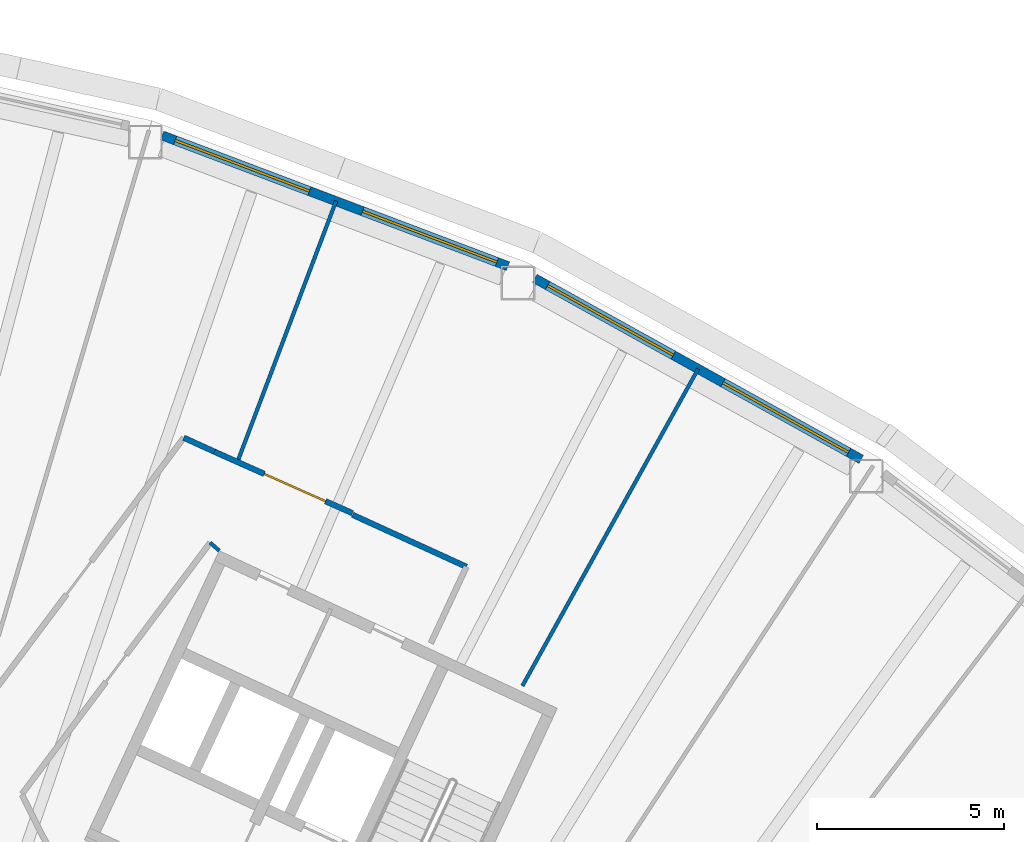
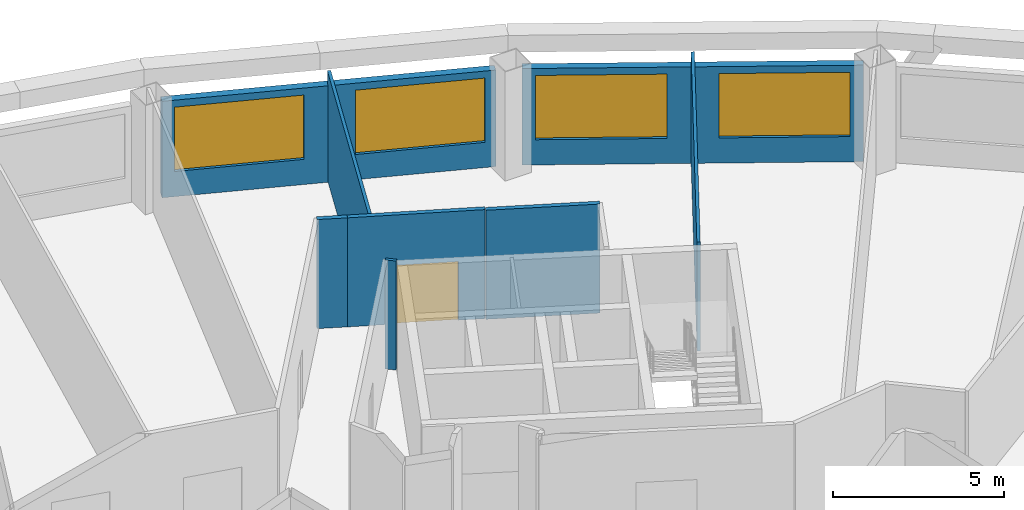
# One storey, part 11 of 14: 8 walls, 4 windows, 1 door, 5 openings.
"""IFC4 building model written with IfcOpenShell, lengths in metres."""

import ifcopenshell
import ifcopenshell.guid

model = None  # the IFC model being written
_history = None  # IfcOwnerHistory: only IFC2X3 demands one
_inside = {}  # id of a spatial element -> (the spatial element, [elements in it])
_under = {}  # id of a project, library or spatial element -> (it, [spatial elements below it])
_declared = {}  # id of a project -> (the project, [libraries it declares])
_typed = {}  # id of a type object -> (the type object, [elements of that type])
_made_of = {}  # id of a material, layer set ... -> (it, [elements and type objects made of it])


def new_model(schema):
    """Start an empty IFC model of exactly this schema.

    Asked for "IFC4X3", IfcOpenShell would pick the latest addendum, in which some entities
    have other attributes; the version numbers below select the first issue.
    IFC2X3 requires an IfcOwnerHistory on every rooted entity: one is made here for all.
    """
    global model, _history
    if schema == "IFC4X3":
        model = ifcopenshell.file(schema_version=(4, 3, 0, 0))
    else:
        model = ifcopenshell.file(schema=schema)
    _inside.clear()
    _under.clear()
    _declared.clear()
    _typed.clear()
    _made_of.clear()
    _history = None
    if model.schema == "IFC2X3":
        org = make("IfcOrganization", Name="unknown")
        user = make(
            "IfcPersonAndOrganization",
            ThePerson=make("IfcPerson", FamilyName="unknown"),
            TheOrganization=org,
        )
        app = make(
            "IfcApplication",
            ApplicationDeveloper=org,
            Version="unknown",
            ApplicationFullName="unknown",
            ApplicationIdentifier="unknown",
        )
        _history = make(
            "IfcOwnerHistory",
            OwningUser=user,
            OwningApplication=app,
            ChangeAction="ADDED",
            CreationDate=0,
        )
    return model


def make(cls, **values):
    """One entity of the class cls with the attributes given. An attribute that is None is left unset."""
    return model.create_entity(
        cls, **{name: value for name, value in values.items() if value is not None}
    )


def rooted(cls, **values):
    """An entity with a GlobalId (a new one), such as an element, a storey or a relation."""
    return make(cls, GlobalId=ifcopenshell.guid.new(), OwnerHistory=_history, **values)


def si_unit(unit_type, name, prefix=None):
    """IfcSIUnit, for example si_unit("LENGTHUNIT", "METRE", prefix="MILLI")."""
    return make("IfcSIUnit", UnitType=unit_type, Prefix=prefix, Name=name)


def assignment(units):
    """IfcUnitAssignment: the units of a project."""
    return None if units is None else make("IfcUnitAssignment", Units=units)


def point(xyz):
    """IfcCartesianPoint."""
    return None if xyz is None else make("IfcCartesianPoint", Coordinates=xyz)


def direction(xyz):
    """IfcDirection."""
    return None if xyz is None else make("IfcDirection", DirectionRatios=xyz)


def frame(location, z_axis=None, x_axis=None):
    """IfcAxis2Placement3D, a coordinate frame: its origin and axes. An axis left out is left unset."""
    return make(
        "IfcAxis2Placement3D",
        Location=point(location),
        Axis=direction(z_axis),
        RefDirection=direction(x_axis),
    )


def frame_2d(location, x_axis=None):
    """IfcAxis2Placement2D, a coordinate frame in the plane: its origin and x axis."""
    return make(
        "IfcAxis2Placement2D", Location=point(location), RefDirection=direction(x_axis)
    )


def origin():
    """The frame at (0, 0, 0) with its axes left unset."""
    return frame((0.0, 0.0, 0.0))


def place(relative_to, where):
    """IfcLocalPlacement: puts the frame where relative to a parent placement (None: the world)."""
    return make(
        "IfcLocalPlacement", PlacementRelTo=relative_to, RelativePlacement=where
    )


def context(
    kind, dimensions, precision=None, world=None, true_north=None, identifier=None
):
    """IfcGeometricRepresentationContext, for example the 3D "Model" context."""
    return make(
        "IfcGeometricRepresentationContext",
        ContextIdentifier=identifier,
        ContextType=kind,
        CoordinateSpaceDimension=dimensions,
        Precision=precision,
        WorldCoordinateSystem=world,
        TrueNorth=true_north,
    )


def subcontext(parent, identifier, kind, view, scale=None):
    """IfcGeometricRepresentationSubContext, for example "Body" below "Model"."""
    return make(
        "IfcGeometricRepresentationSubContext",
        ContextIdentifier=identifier,
        ContextType=kind,
        ParentContext=parent,
        TargetScale=scale,
        TargetView=view,
    )


def project(units=None, contexts=None):
    """IfcProject with its units and contexts."""
    return rooted(
        "IfcProject",
        Name="project",
        RepresentationContexts=contexts,
        UnitsInContext=assignment(units),
    )


def spatial(cls, under=None, at=None, **own):
    """A site, building, storey or space (cls), placed at a placement, below another one or the project."""
    s = rooted(cls, ObjectPlacement=at, **own)
    if under is not None:
        _under.setdefault(under.id(), (under, []))[1].append(s)
    return s


def profile(cls, at=None, kind="AREA", **sizes):
    """A parametric profile (cls). Its sizes go by their IFC names, for example OverallWidth=200.0."""
    return make(cls, ProfileType=kind, Position=at, **sizes)


def rectangle(**sizes):
    """IfcRectangleProfileDef."""
    return profile("IfcRectangleProfileDef", **sizes)


def extrude(swept, where, along, depth):
    """IfcExtrudedAreaSolid: the profile swept, set in the frame where, extruded along a direction by depth."""
    return make(
        "IfcExtrudedAreaSolid",
        SweptArea=swept,
        Position=where,
        ExtrudedDirection=direction(along),
        Depth=depth,
    )


def shape(context_of_items, identifier, shape_type, items):
    """IfcShapeRepresentation: the items that make up one representation, for example the "Body"."""
    return make(
        "IfcShapeRepresentation",
        ContextOfItems=context_of_items,
        RepresentationIdentifier=identifier,
        RepresentationType=shape_type,
        Items=items,
    )


def material(Name=None, Category=None):
    """IfcMaterial."""
    return make("IfcMaterial", Name=Name, Category=Category)


def layer(
    of_material, thickness, ventilated=None, Name=None, Category=None, Priority=None
):
    """IfcMaterialLayer: one layer of a wall or slab, of a material (None: an air gap)."""
    return make(
        "IfcMaterialLayer",
        Material=of_material,
        LayerThickness=thickness,
        IsVentilated=ventilated,
        Name=Name,
        Category=Category,
        Priority=Priority,
    )


def layer_set(layers, Name=None):
    """IfcMaterialLayerSet."""
    return make("IfcMaterialLayerSet", MaterialLayers=layers, LayerSetName=Name)


def made_of(thing, what):
    """Note that an element or type object is made of a material, layer set ...; save() writes the relation."""
    if what is not None:
        _made_of.setdefault(what.id(), (what, []))[1].append(thing)
    return thing


def type_object(cls, material=None, **own):
    """A type object (cls), such as IfcWallType, which elements share."""
    return made_of(rooted(cls, **own), material)


def element(
    cls,
    number,
    at=None,
    inside=None,
    cuts=None,
    type_object=None,
    material=None,
    context=None,
    identifier="Body",
    shape_type=None,
    held_by="IfcProductDefinitionShape",
    body=None,
    shapes=None,
    **own,
):
    """One element of the class cls, such as IfcWall. Its Tag is "e" and its number.

    at: its placement. inside: the storey or other place that contains it. cuts: it is an
    opening in that element (IfcRelVoidsElement). A single representation is given by context,
    identifier, shape_type and body (its items); several are given by shapes. held_by: the class
    of the entity that holds the representations. save() writes the other relations.
    """
    e = rooted(cls, Tag="e%d" % number, ObjectPlacement=at, **own)
    if body is not None:
        shapes = [shape(context, identifier, shape_type, body)]
    if shapes is not None:
        e.Representation = make(held_by, Representations=shapes)
    if inside is not None:
        _inside.setdefault(inside.id(), (inside, []))[1].append(e)
    if cuts is not None:
        rooted(
            "IfcRelVoidsElement", RelatingBuildingElement=cuts, RelatedOpeningElement=e
        )
    if type_object is not None:
        _typed.setdefault(type_object.id(), (type_object, []))[1].append(e)
    return made_of(e, material)


def fill(opening, filler):
    """IfcRelFillsElement: the door or window that sits in an opening."""
    return rooted(
        "IfcRelFillsElement",
        RelatingOpeningElement=opening,
        RelatedBuildingElement=filler,
    )


def aggregate(whole, parts):
    """IfcRelAggregates: a whole, such as a stair, and the parts it consists of."""
    return rooted("IfcRelAggregates", RelatingObject=whole, RelatedObjects=parts)


def save(model, path):
    """Write the relations noted so far, then the file.

    IfcRelAggregates (storeys below a building ...), IfcRelContainedInSpatialStructure (elements
    in a storey), IfcRelDefinesByType, IfcRelAssociatesMaterial and IfcRelDeclares: one each for
    every whole, place, type object, material and project.
    """
    for whole, parts in _under.values():
        aggregate(whole, parts)
    for where, things in _inside.values():
        rooted(
            "IfcRelContainedInSpatialStructure",
            RelatedElements=things,
            RelatingStructure=where,
        )
    for kind, things in _typed.values():
        rooted("IfcRelDefinesByType", RelatedObjects=things, RelatingType=kind)
    for what, things in _made_of.values():
        rooted("IfcRelAssociatesMaterial", RelatedObjects=things, RelatingMaterial=what)
    for by, libraries in _declared.values():
        rooted("IfcRelDeclares", RelatingContext=by, RelatedDefinitions=libraries)
    model.write(path)


model = new_model("IFC4")

# Units and contexts
model_context = context("Model", 3, precision=1e-05, world=origin(), true_north=direction((0.0, 1.0)))
body_context = subcontext(model_context, "Body", "Model", "MODEL_VIEW")
ifc_project = project(units=[si_unit("LENGTHUNIT", "METRE"), si_unit("AREAUNIT", "SQUARE_METRE"), si_unit("VOLUMEUNIT", "CUBIC_METRE"), si_unit("PLANEANGLEUNIT", "RADIAN"), si_unit("MASSUNIT", "GRAM", prefix="KILO")], contexts=[model_context])

# Site, building, storey
site_placement = place(None, origin())
site = spatial("IfcSite", under=ifc_project, at=site_placement, CompositionType="ELEMENT")
building_placement = place(site_placement, origin())
building = spatial("IfcBuilding", under=site, at=building_placement, Name="Tuul Gate Civic Tower", CompositionType="ELEMENT")
storey_placement = place(building_placement, frame((0.0, 0.0, 213.699951171875)))
storey = spatial("IfcBuildingStorey", under=building, at=storey_placement, Name="Level 48", CompositionType="ELEMENT", Elevation=213.699951171875)

# Walls
ifc_material_1 = material(Name="Gypsum board partition")
ifc_layer_1 = layer(ifc_material_1, 0.14990234375)
ifc_layer_set_1 = layer_set([ifc_layer_1], Name="Gypsum board partition")
wall_type_1 = type_object("IfcWallType", Name="Corridor wall P150", PredefinedType="PARTITIONING", material=ifc_layer_set_1)
wall_1_placement = place(storey_placement, frame((28.04443359375, 7.57177734375, 0.0), z_axis=(0.0, 0.0, 1.0), x_axis=(0.909641264779, -0.415394715194, 0.0)))
element("IfcWall", 1, at=wall_1_placement, inside=storey, type_object=wall_type_1, Name="p022", PredefinedType="PARTITIONING", context=body_context, shape_type="SweptSolid", body=[
    extrude(rectangle(XDim=0.90087890625, YDim=0.14990234375, at=frame_2d((0.450439453125, 0.0))), origin(), (0.0, 0.0, 1.0), 3.900146484375),
])
wall_2_placement = place(storey_placement, frame((32.568115234375, 5.505859375, 0.0), z_axis=(0.0, 0.0, 1.0), x_axis=(0.909622241546, -0.415436370199, 0.0)))
element("IfcWall", 2, at=wall_2_placement, inside=storey, type_object=wall_type_1, Name="p023", PredefinedType="PARTITIONING", context=body_context, shape_type="SweptSolid", body=[
    extrude(rectangle(XDim=3.3544921875, YDim=0.14990234375, at=frame_2d((1.67724609375, 0.0))), origin(), (0.0, 0.0, 1.0), 3.900146484375),
])

# Wall, opening, door
wall_3_placement = place(storey_placement, frame((28.8642578125, 7.197509765625, 0.0), z_axis=(0.0, 0.0, 1.0), x_axis=(0.91338364902, -0.407099876816, 0.0)))
wall_3 = element("IfcWall", 3, at=wall_3_placement, inside=storey, type_object=wall_type_1, Name="p024", PredefinedType="PARTITIONING", context=body_context, shape_type="SweptSolid", body=[
    extrude(rectangle(XDim=4.051513671875, YDim=0.14990234375, at=frame_2d((2.02587890625, 0.0))), origin(), (0.0, 0.0, 1.0), 3.900146484375),
])
opening_1_placement = place(wall_3_placement, frame((1.4638671875, 0.0, 0.0)))
opening_1 = element("IfcOpeningElement", 4, at=opening_1_placement, cuts=wall_3, Name="Opening Q-D05", PredefinedType="OPENING", context=body_context, shape_type="SweptSolid", body=[
    extrude(rectangle(XDim=1.800048828125, YDim=2.10009765625, at=frame_2d((0.89990234375, 1.050048828125))), frame((0.0, 0.0849609375, 0.0), z_axis=(0.0, -1.0, 0.0), x_axis=(1.0, 0.0, 0.0)), (0.0, 0.0, 1.0), 0.169921875),
])
ifc_material_2 = material(Name="Timber door leaf, double", Category="wood")
door_type = type_object("IfcDoorType", Name="Door D18", OperationType="DOUBLE_DOOR_SINGLE_SWING", PredefinedType="DOOR", material=ifc_material_2)
door_placement = place(opening_1_placement, origin())
door = element("IfcDoor", 5, at=door_placement, inside=storey, type_object=door_type, Name="Door Q-D05", OperationType="DOUBLE_DOOR_SINGLE_SWING", OverallHeight=2.10009765625, OverallWidth=1.800048828125, PredefinedType="DOOR", context=body_context, shape_type="SweptSolid", body=[
    extrude(rectangle(XDim=1.800048828125, YDim=2.10009765625, at=frame_2d((0.89990234375, 1.050048828125))), frame((0.0, 0.02490234375, 0.0), z_axis=(0.0, -1.0, 0.0), x_axis=(1.0, 0.0, 0.0)), (0.0, 0.0, 1.0), 0.050048828125),
])
fill(opening_1, door)

# Wall, openings, windows
ifc_material_3 = material(Name="Precast concrete C40/50", Category="concrete")
ifc_layer_2 = layer(ifc_material_3, 0.25)
ifc_layer_set_2 = layer_set([ifc_layer_2], Name="Precast concrete C40/50")
wall_type_2 = type_object("IfcWallType", Name="External wall", PredefinedType="STANDARD", material=ifc_layer_set_2)
wall_4_placement = place(storey_placement, frame((46.201171875, 6.992919921875, 0.0), z_axis=(0.0, 0.0, 1.0), x_axis=(-0.874625464024, 0.484799234405, 0.0)))
wall_4 = element("IfcWall", 6, at=wall_4_placement, inside=storey, type_object=wall_type_2, Name="External wall", PredefinedType="STANDARD", context=body_context, shape_type="SweptSolid", body=[
    extrude(rectangle(XDim=10.00244140625, YDim=0.25, at=frame_2d((5.001220703125, 0.0))), origin(), (0.0, 0.0, 1.0), 3.449951171875),
])
opening_2_placement = place(wall_4_placement, frame((0.38671875, 0.0, 0.89990234375)))
opening_2 = element("IfcOpeningElement", 7, at=opening_2_placement, cuts=wall_4, Name="Opening W22", PredefinedType="OPENING", context=body_context, shape_type="SweptSolid", body=[
    extrude(rectangle(XDim=3.85009765625, YDim=2.300048828125, at=frame_2d((1.925048828125, 1.14990234375))), frame((0.0, 0.135009765625, 0.0), z_axis=(0.0, -1.0, 0.0), x_axis=(1.0, 0.0, 0.0)), (0.0, 0.0, 1.0), 0.27001953125),
])
opening_3_placement = place(wall_4_placement, frame((5.758056640625, 0.0, 0.89990234375)))
opening_3 = element("IfcOpeningElement", 8, at=opening_3_placement, cuts=wall_4, Name="Opening W22", PredefinedType="OPENING", context=body_context, shape_type="SweptSolid", body=[
    extrude(rectangle(XDim=3.85009765625, YDim=2.300048828125, at=frame_2d((1.925048828125, 1.14990234375))), frame((0.0, 0.135009765625, 0.0), z_axis=(0.0, -1.0, 0.0), x_axis=(1.0, 0.0, 0.0)), (0.0, 0.0, 1.0), 0.27001953125),
])
ifc_material_4 = material(Name="Glass", Category="glass")
window_type = type_object("IfcWindowType", Name="Window W22 3850 x 2300", PartitioningType="SINGLE_PANEL", PredefinedType="WINDOW", material=ifc_material_4)
window_1_placement = place(opening_2_placement, origin())
window_1 = element("IfcWindow", 9, at=window_1_placement, inside=storey, type_object=window_type, Name="Window", OverallHeight=2.300048828125, OverallWidth=3.85009765625, PartitioningType="SINGLE_PANEL", PredefinedType="WINDOW", context=body_context, shape_type="SweptSolid", body=[
    extrude(rectangle(XDim=3.85009765625, YDim=2.300048828125, at=frame_2d((1.925048828125, 1.14990234375))), frame((0.0, 0.030029296875, 0.0), z_axis=(0.0, -1.0, 0.0), x_axis=(1.0, 0.0, 0.0)), (0.0, 0.0, 1.0), 0.06005859375),
])
fill(opening_2, window_1)
window_2_placement = place(opening_3_placement, origin())
window_2 = element("IfcWindow", 10, at=window_2_placement, inside=storey, type_object=window_type, Name="Window", OverallHeight=2.300048828125, OverallWidth=3.85009765625, PartitioningType="SINGLE_PANEL", PredefinedType="WINDOW", context=body_context, shape_type="SweptSolid", body=[
    extrude(rectangle(XDim=3.85009765625, YDim=2.300048828125, at=frame_2d((1.925048828125, 1.14990234375))), frame((0.0, 0.030029296875, 0.0), z_axis=(0.0, -1.0, 0.0), x_axis=(1.0, 0.0, 0.0)), (0.0, 0.0, 1.0), 0.06005859375),
])
fill(opening_3, window_2)

wall_5_placement = place(storey_placement, frame((36.733642578125, 12.1689453125, 0.0), z_axis=(0.0, 0.0, 1.0), x_axis=(-0.935369774389, 0.353671295358, 0.0)))
wall_5 = element("IfcWall", 11, at=wall_5_placement, inside=storey, type_object=wall_type_2, Name="External wall", PredefinedType="STANDARD", context=body_context, shape_type="SweptSolid", body=[
    extrude(rectangle(XDim=9.907958984375, YDim=0.25, at=frame_2d((4.9541015625, 0.0))), origin(), (0.0, 0.0, 1.0), 3.449951171875),
])
opening_4_placement = place(wall_5_placement, frame((0.31689453125, 0.0, 0.89990234375)))
opening_4 = element("IfcOpeningElement", 12, at=opening_4_placement, cuts=wall_5, Name="Opening W22", PredefinedType="OPENING", context=body_context, shape_type="SweptSolid", body=[
    extrude(rectangle(XDim=3.85009765625, YDim=2.300048828125, at=frame_2d((1.925048828125, 1.14990234375))), frame((0.0, 0.135009765625, 0.0), z_axis=(0.0, -1.0, 0.0), x_axis=(1.0, 0.0, 0.0)), (0.0, 0.0, 1.0), 0.27001953125),
])
opening_5_placement = place(wall_5_placement, frame((5.68798828125, 0.0, 0.89990234375)))
opening_5 = element("IfcOpeningElement", 13, at=opening_5_placement, cuts=wall_5, Name="Opening W22", PredefinedType="OPENING", context=body_context, shape_type="SweptSolid", body=[
    extrude(rectangle(XDim=3.85009765625, YDim=2.300048828125, at=frame_2d((1.925048828125, 1.14990234375))), frame((0.0, 0.135009765625, 0.0), z_axis=(0.0, -1.0, 0.0), x_axis=(1.0, 0.0, 0.0)), (0.0, 0.0, 1.0), 0.27001953125),
])
window_3_placement = place(opening_4_placement, origin())
window_3 = element("IfcWindow", 14, at=window_3_placement, inside=storey, type_object=window_type, Name="Window", OverallHeight=2.300048828125, OverallWidth=3.85009765625, PartitioningType="SINGLE_PANEL", PredefinedType="WINDOW", context=body_context, shape_type="SweptSolid", body=[
    extrude(rectangle(XDim=3.85009765625, YDim=2.300048828125, at=frame_2d((1.925048828125, 1.14990234375))), frame((0.0, 0.030029296875, 0.0), z_axis=(0.0, -1.0, 0.0), x_axis=(1.0, 0.0, 0.0)), (0.0, 0.0, 1.0), 0.06005859375),
])
fill(opening_4, window_3)
window_4_placement = place(opening_5_placement, origin())
window_4 = element("IfcWindow", 15, at=window_4_placement, inside=storey, type_object=window_type, Name="Window", OverallHeight=2.300048828125, OverallWidth=3.85009765625, PartitioningType="SINGLE_PANEL", PredefinedType="WINDOW", context=body_context, shape_type="SweptSolid", body=[
    extrude(rectangle(XDim=3.85009765625, YDim=2.300048828125, at=frame_2d((1.925048828125, 1.14990234375))), frame((0.0, 0.030029296875, 0.0), z_axis=(0.0, -1.0, 0.0), x_axis=(1.0, 0.0, 0.0)), (0.0, 0.0, 1.0), 0.06005859375),
])
fill(opening_5, window_4)

# Walls
ifc_material_5 = material(Name="Gypsum board partition")
ifc_layer_3 = layer(ifc_material_5, 0.10009765625)
ifc_layer_set_3 = layer_set([ifc_layer_3], Name="Gypsum board partition")
wall_type_3 = type_object("IfcWallType", Name="Partition P100", PredefinedType="PARTITIONING", material=ifc_layer_set_3)
wall_6_placement = place(storey_placement, frame((37.12109375, 0.919921875, 0.0), z_axis=(0.0, 0.0, 1.0), x_axis=(0.484832219847, 0.874607179595, 0.0)))
element("IfcWall", 16, at=wall_6_placement, inside=storey, type_object=wall_type_3, Name="p015", PredefinedType="PARTITIONING", context=body_context, shape_type="SweptSolid", body=[
    extrude(rectangle(XDim=9.71875, YDim=0.10009765625, at=frame_2d((4.859375, 0.0))), origin(), (0.0, 0.0, 1.0), 3.900146484375),
])
wall_7_placement = place(storey_placement, frame((29.481689453125, 6.922119140625, 0.0), z_axis=(0.0, 0.0, 1.0), x_axis=(0.353726903165, 0.935348746713, 0.0)))
element("IfcWall", 17, at=wall_7_placement, inside=storey, type_object=wall_type_3, Name="p020", PredefinedType="PARTITIONING", context=body_context, shape_type="SweptSolid", body=[
    extrude(rectangle(XDim=7.4775390625, YDim=0.10009765625, at=frame_2d((3.73876953125, 0.0))), origin(), (0.0, 0.0, 1.0), 3.900146484375),
])
wall_8_placement = place(storey_placement, frame((28.749267578125, 4.759033203125, 0.0), z_axis=(0.0, 0.0, 1.0), x_axis=(0.75062434449, -0.660729213414, 0.0)))
element("IfcWall", 18, at=wall_8_placement, inside=storey, type_object=wall_type_3, Name="p085", PredefinedType="PARTITIONING", context=body_context, shape_type="SweptSolid", body=[
    extrude(rectangle(XDim=0.325927734375, YDim=0.10009765625, at=frame_2d((0.1630859375, 0.0))), origin(), (0.0, 0.0, 1.0), 3.900146484375),
])

save(model, "model.ifc")
